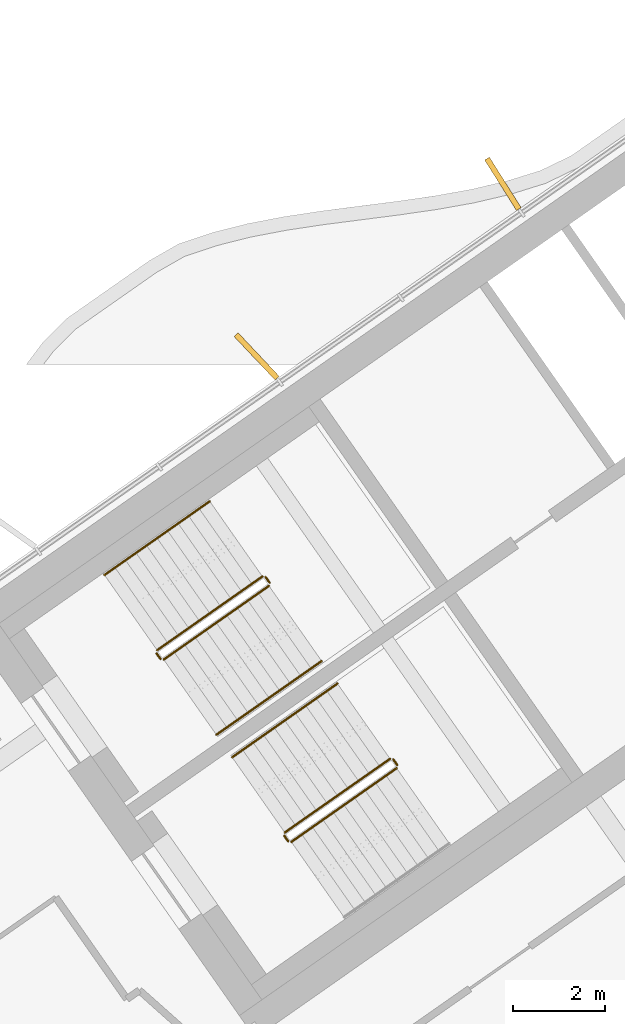
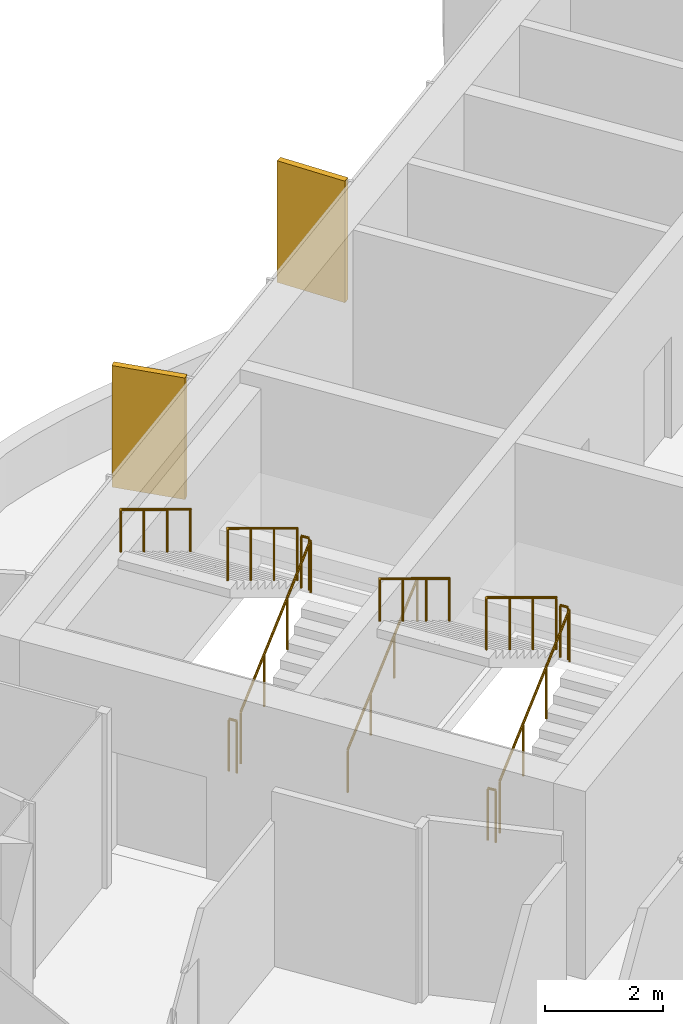
# One storey, part 15 of 18: 11 railings, 2 shading devices.
"""IFC4 building model written with IfcOpenShell, lengths in metres."""

from ifc_helpers import new_model, si_unit, direction, frame, origin, origin_2d, place, context, subcontext, project, spatial, rectangle, circle, extrude, material, layer, layer_set, type_object, element, save


model = new_model("IFC4")

# Units and contexts
model_context = context("Model", 3, precision=1e-05, world=origin(), true_north=direction((0.0, 1.0)))
body_context = subcontext(model_context, "Body", "Model", "MODEL_VIEW")
ifc_project = project(units=[si_unit("LENGTHUNIT", "METRE"), si_unit("AREAUNIT", "SQUARE_METRE"), si_unit("VOLUMEUNIT", "CUBIC_METRE"), si_unit("PLANEANGLEUNIT", "RADIAN"), si_unit("MASSUNIT", "GRAM", prefix="KILO")], contexts=[model_context])

# Site, building, storey
site_placement = place(None, origin())
site = spatial("IfcSite", under=ifc_project, at=site_placement, CompositionType="ELEMENT")
building_placement = place(site_placement, origin())
building = spatial("IfcBuilding", under=site, at=building_placement, Name="Tel Ilan Convention Tower", CompositionType="ELEMENT")
storey_placement = place(building_placement, frame((0.0, 0.0, 260.5)))
storey = spatial("IfcBuildingStorey", under=building, at=storey_placement, Name="L61", CompositionType="ELEMENT", Elevation=260.5)

# Shading devices
ifc_material_1 = material(Name="Aluminium, bronze anodised", Category="aluminium")
ifc_layer = layer(ifc_material_1, 0.1201171875)
ifc_layer_set = layer_set([ifc_layer], Name="FIN BRONZE 1300x120")
shading_device_type = type_object("IfcShadingDeviceType", Name="FIN BRONZE 1300x120", PredefinedType="USERDEFINED", material=ifc_layer_set)
for number, where, z_axis, x_axis, name in (
    (1, (-16.143798828125, 2.309814453125, 1.10009765625), (0.0, 0.0, 1.0), (-0.533204432798, 0.845986425922, 0.0), "FIN"),
    (2, (-21.51171875, -1.449462890625, 1.10009765625), (0.0, 0.0, 1.0), (-0.686241637865, 0.727373641577, 0.0), "FIN"),
):
    element("IfcShadingDevice", number, at=place(storey_placement, frame(where, z_axis=z_axis, x_axis=x_axis)), inside=storey, type_object=shading_device_type, Name=name, ObjectType="FIN", PredefinedType="USERDEFINED", context=body_context, shape_type="SweptSolid", body=[
        extrude(rectangle(XDim=1.300048828125, YDim=0.1201171875, at=origin_2d()), origin(), (0.0, 0.0, 1.0), 2.52001953125),
    ])

# Railings
ifc_material_2 = material(Name="Stainless Steel Grade 316", Category="steel")
railing_type_1 = type_object("IfcRailingType", Name="Stainless Steel Stair Guard 1100 mm", PredefinedType="GUARDRAIL", material=ifc_material_2)
railing_1_placement = place(storey_placement, frame((-23.535400390625, -8.056396484375, 0.17724609375)))
element("IfcRailing", 3, at=railing_1_placement, inside=storey, type_object=railing_type_1, Name="L61 S1 stair guard 1", PredefinedType="GUARDRAIL", context=body_context, shape_type="SweptSolid", body=[
    extrude(circle(Radius=0.02392578125, at=origin_2d()), frame((0.0, 0.0, 1.076171875), z_axis=(0.692098378994, 0.484653031975, 0.534893701956), x_axis=(-0.573608623498, 0.819129505664, 0.0)), (0.0, 0.0, 1.0), 3.314208984375),
    extrude(circle(Radius=0.02099609375, at=origin_2d()), origin(), (0.0, 0.0, 1.0), 1.052001953125),
    extrude(circle(Radius=0.02099609375, at=origin_2d()), frame((0.7646484375, 0.535400390625, 0.5908203125)), (0.0, 0.0, 1.0), 1.052001953125),
    extrude(circle(Radius=0.02099609375, at=origin_2d()), frame((1.529052734375, 1.07080078125, 1.181884765625)), (0.0, 0.0, 1.0), 1.052001953125),
    extrude(circle(Radius=0.02099609375, at=origin_2d()), frame((2.293701171875, 1.606201171875, 1.772705078125)), (0.0, 0.0, 1.0), 1.052001953125),
])
railing_2_placement = place(storey_placement, frame((-21.2294921875, -6.380615234375, 1.949951171875)))
element("IfcRailing", 4, at=railing_2_placement, inside=storey, type_object=railing_type_1, Name="L61 S1 stair guard 2", PredefinedType="GUARDRAIL", context=body_context, shape_type="SweptSolid", body=[
    extrude(circle(Radius=0.02392578125, at=origin_2d()), frame((0.0, 0.0, 1.076171875), z_axis=(-0.573353020881, 0.819308436089, 0.0), x_axis=(-0.819308436089, -0.573353020881, 0.0)), (0.0, 0.0, 1.0), 0.14990234375),
    extrude(circle(Radius=0.02099609375, at=origin_2d()), origin(), (0.0, 0.0, 1.0), 1.052001953125),
    extrude(circle(Radius=0.02099609375, at=origin_2d()), frame((-0.0859375, 0.122802734375, 0.0)), (0.0, 0.0, 1.0), 1.052001953125),
])
railing_3_placement = place(storey_placement, frame((-21.38525390625, -6.24560546875, 2.127197265625)))
element("IfcRailing", 5, at=railing_3_placement, inside=storey, type_object=railing_type_1, Name="L61 S1 stair guard 3", PredefinedType="GUARDRAIL", context=body_context, shape_type="SweptSolid", body=[
    extrude(circle(Radius=0.02392578125, at=origin_2d()), frame((0.0, 0.0, 1.076171875), z_axis=(-0.692084706163, -0.484621375041, 0.534940073605), x_axis=(0.573591086599, -0.819141785879, 0.0)), (0.0, 0.0, 1.0), 3.313720703125),
    extrude(circle(Radius=0.02099609375, at=origin_2d()), origin(), (0.0, 0.0, 1.0), 1.052001953125),
    extrude(circle(Radius=0.02099609375, at=origin_2d()), frame((-0.764404296875, -0.535400390625, 0.5908203125)), (0.0, 0.0, 1.0), 1.052001953125),
    extrude(circle(Radius=0.02099609375, at=origin_2d()), frame((-1.529052734375, -1.070556640625, 1.181884765625)), (0.0, 0.0, 1.0), 1.052001953125),
    extrude(circle(Radius=0.02099609375, at=origin_2d()), frame((-2.29345703125, -1.60595703125, 1.772705078125)), (0.0, 0.0, 1.0), 1.052001953125),
])
railing_4_placement = place(storey_placement, frame((-23.60498046875, -8.0439453125, 0.0)))
element("IfcRailing", 6, at=railing_4_placement, inside=storey, type_object=railing_type_1, Name="L61 S1 stair guard 4", PredefinedType="GUARDRAIL", context=body_context, shape_type="SweptSolid", body=[
    extrude(circle(Radius=0.02392578125, at=origin_2d()), frame((0.0, 0.0, 1.076171875), z_axis=(-0.574444878118, 0.818543268254, 0.0), x_axis=(-0.818543268254, -0.574444878118, 0.0)), (0.0, 0.0, 1.0), 0.150146484375),
    extrude(circle(Radius=0.02099609375, at=origin_2d()), origin(), (0.0, 0.0, 1.0), 1.052001953125),
    extrude(circle(Radius=0.02099609375, at=origin_2d()), frame((-0.086181640625, 0.122802734375, 0.0)), (0.0, 0.0, 1.0), 1.052001953125),
])
railing_5_placement = place(storey_placement, frame((-20.753662109375, -12.029296875, 0.17724609375)))
element("IfcRailing", 7, at=railing_5_placement, inside=storey, type_object=railing_type_1, Name="L61 S2 stair guard 1", PredefinedType="GUARDRAIL", context=body_context, shape_type="SweptSolid", body=[
    extrude(circle(Radius=0.02392578125, at=origin_2d()), frame((0.0, 0.0, 1.076171875), z_axis=(0.692098378994, 0.484653031975, 0.534893701956), x_axis=(-0.573608623498, 0.819129505664, 0.0)), (0.0, 0.0, 1.0), 3.314208984375),
    extrude(circle(Radius=0.02099609375, at=origin_2d()), origin(), (0.0, 0.0, 1.0), 1.052001953125),
    extrude(circle(Radius=0.02099609375, at=origin_2d()), frame((0.7646484375, 0.535400390625, 0.5908203125)), (0.0, 0.0, 1.0), 1.052001953125),
    extrude(circle(Radius=0.02099609375, at=origin_2d()), frame((1.529052734375, 1.07080078125, 1.181884765625)), (0.0, 0.0, 1.0), 1.052001953125),
    extrude(circle(Radius=0.02099609375, at=origin_2d()), frame((2.293701171875, 1.606201171875, 1.772705078125)), (0.0, 0.0, 1.0), 1.052001953125),
])
railing_6_placement = place(storey_placement, frame((-18.44775390625, -10.353515625, 1.949951171875)))
element("IfcRailing", 8, at=railing_6_placement, inside=storey, type_object=railing_type_1, Name="L61 S2 stair guard 2", PredefinedType="GUARDRAIL", context=body_context, shape_type="SweptSolid", body=[
    extrude(circle(Radius=0.02392578125, at=origin_2d()), frame((0.0, 0.0, 1.076171875), z_axis=(-0.573353020881, 0.819308436089, 0.0), x_axis=(-0.819308436089, -0.573353020881, 0.0)), (0.0, 0.0, 1.0), 0.14990234375),
    extrude(circle(Radius=0.02099609375, at=origin_2d()), origin(), (0.0, 0.0, 1.0), 1.052001953125),
    extrude(circle(Radius=0.02099609375, at=origin_2d()), frame((-0.0859375, 0.122802734375, 0.0)), (0.0, 0.0, 1.0), 1.052001953125),
])
railing_7_placement = place(storey_placement, frame((-18.603271484375, -10.218505859375, 2.127197265625)))
element("IfcRailing", 9, at=railing_7_placement, inside=storey, type_object=railing_type_1, Name="L61 S2 stair guard 3", PredefinedType="GUARDRAIL", context=body_context, shape_type="SweptSolid", body=[
    extrude(circle(Radius=0.02392578125, at=origin_2d()), frame((0.0, 0.0, 1.076171875), z_axis=(-0.692123088272, -0.484596665743, 0.534912798717), x_axis=(0.573550118428, -0.819170471667, 0.0)), (0.0, 0.0, 1.0), 3.31396484375),
    extrude(circle(Radius=0.02099609375, at=origin_2d()), origin(), (0.0, 0.0, 1.0), 1.052001953125),
    extrude(circle(Radius=0.02099609375, at=origin_2d()), frame((-0.7646484375, -0.535400390625, 0.5908203125)), (0.0, 0.0, 1.0), 1.052001953125),
    extrude(circle(Radius=0.02099609375, at=origin_2d()), frame((-1.529052734375, -1.070556640625, 1.181884765625)), (0.0, 0.0, 1.0), 1.052001953125),
    extrude(circle(Radius=0.02099609375, at=origin_2d()), frame((-2.293701171875, -1.60595703125, 1.772705078125)), (0.0, 0.0, 1.0), 1.052001953125),
])
railing_8_placement = place(storey_placement, frame((-20.8232421875, -12.016845703125, 0.0)))
element("IfcRailing", 10, at=railing_8_placement, inside=storey, type_object=railing_type_1, Name="L61 S2 stair guard 4", PredefinedType="GUARDRAIL", context=body_context, shape_type="SweptSolid", body=[
    extrude(circle(Radius=0.02392578125, at=origin_2d()), frame((0.0, 0.0, 1.076171875), z_axis=(-0.573353020881, 0.819308436089, 0.0), x_axis=(-0.819308436089, -0.573353020881, 0.0)), (0.0, 0.0, 1.0), 0.14990234375),
    extrude(circle(Radius=0.02099609375, at=origin_2d()), origin(), (0.0, 0.0, 1.0), 1.052001953125),
    extrude(circle(Radius=0.02099609375, at=origin_2d()), frame((-0.0859375, 0.122802734375, 0.0)), (0.0, 0.0, 1.0), 1.052001953125),
])
ifc_material_3 = material(Name="Stainless Steel Grade 316", Category="steel")
railing_type_2 = type_object("IfcRailingType", Name="Stainless Steel Stair Handrail 900 mm", PredefinedType="HANDRAIL", material=ifc_material_3)
railing_9_placement = place(storey_placement, frame((-22.38818359375, -9.694580078125, 0.17724609375)))
element("IfcRailing", 11, at=railing_9_placement, inside=storey, type_object=railing_type_2, Name="L61 S1 stair handrail 1", PredefinedType="HANDRAIL", context=body_context, shape_type="SweptSolid", body=[
    extrude(circle(Radius=0.02392578125, at=origin_2d()), frame((0.0, 0.0, 0.8759765625), z_axis=(0.692084706163, 0.484621375041, 0.534940073605), x_axis=(-0.573591086599, 0.819141785879, 0.0)), (0.0, 0.0, 1.0), 3.313720703125),
    extrude(circle(Radius=0.02099609375, at=origin_2d()), origin(), (0.0, 0.0, 1.0), 0.851806640625),
    extrude(circle(Radius=0.02099609375, at=origin_2d()), frame((0.764404296875, 0.535400390625, 0.5908203125)), (0.0, 0.0, 1.0), 0.851806640625),
    extrude(circle(Radius=0.02099609375, at=origin_2d()), frame((1.529052734375, 1.070556640625, 1.181884765625)), (0.0, 0.0, 1.0), 0.851806640625),
    extrude(circle(Radius=0.02099609375, at=origin_2d()), frame((2.29345703125, 1.60595703125, 1.772705078125)), (0.0, 0.0, 1.0), 0.851806640625),
])
for number, where, name in (
    (12, (-22.5322265625, -4.607177734375, 2.127197265625), "L61 S1 stair handrail 2"),
    (13, (-19.75048828125, -8.580078125, 2.127197265625), "L61 S2 stair handrail 2"),
):
    element("IfcRailing", number, at=place(storey_placement, frame(where)), inside=storey, type_object=railing_type_2, Name=name, PredefinedType="HANDRAIL", context=body_context, shape_type="SweptSolid", body=[
        extrude(circle(Radius=0.02392578125, at=origin_2d()), frame((0.0, 0.0, 0.8759765625), z_axis=(-0.692123088272, -0.484596665743, 0.534912798717), x_axis=(0.573550118428, -0.819170471667, 0.0)), (0.0, 0.0, 1.0), 3.31396484375),
        extrude(circle(Radius=0.02099609375, at=origin_2d()), origin(), (0.0, 0.0, 1.0), 0.851806640625),
        extrude(circle(Radius=0.02099609375, at=origin_2d()), frame((-0.7646484375, -0.535400390625, 0.5908203125)), (0.0, 0.0, 1.0), 0.851806640625),
        extrude(circle(Radius=0.02099609375, at=origin_2d()), frame((-1.529052734375, -1.070556640625, 1.181884765625)), (0.0, 0.0, 1.0), 0.851806640625),
        extrude(circle(Radius=0.02099609375, at=origin_2d()), frame((-2.293701171875, -1.60595703125, 1.772705078125)), (0.0, 0.0, 1.0), 0.851806640625),
    ])

save(model, "model.ifc")
